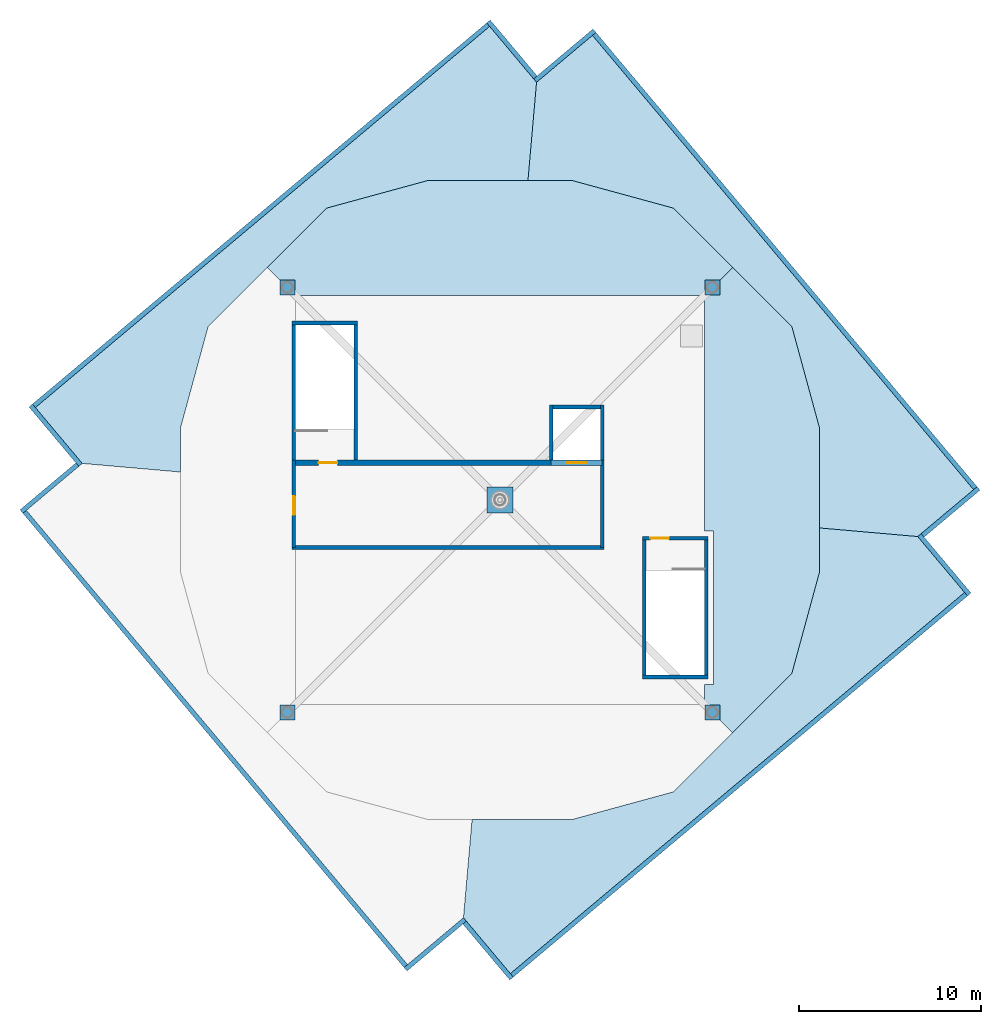
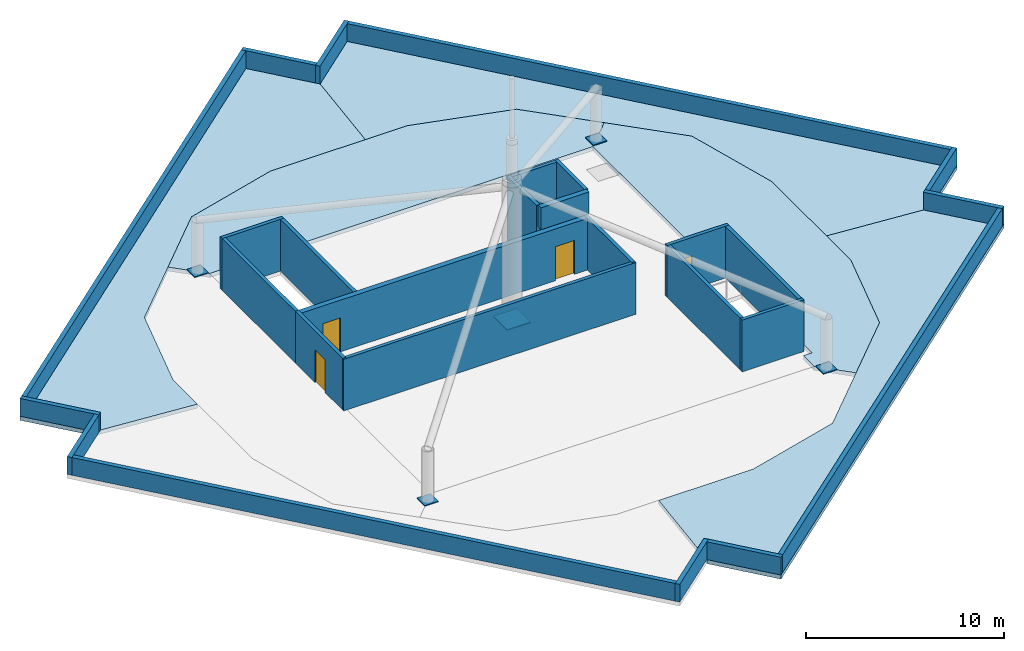
# One storey, part 3 of 4: 27 walls, 5 discrete accessories, 5 slabs, 4 doors, 4 openings.
"""IFC4 building model written with IfcOpenShell, lengths in metres."""

import ifcopenshell
import ifcopenshell.guid

model = None  # the IFC model being written
_history = None  # IfcOwnerHistory: only IFC2X3 demands one
_inside = {}  # id of a spatial element -> (the spatial element, [elements in it])
_under = {}  # id of a project, library or spatial element -> (it, [spatial elements below it])
_declared = {}  # id of a project -> (the project, [libraries it declares])
_typed = {}  # id of a type object -> (the type object, [elements of that type])
_made_of = {}  # id of a material, layer set ... -> (it, [elements and type objects made of it])


def new_model(schema):
    """Start an empty IFC model of exactly this schema.

    Asked for "IFC4X3", IfcOpenShell would pick the latest addendum, in which some entities
    have other attributes; the version numbers below select the first issue.
    IFC2X3 requires an IfcOwnerHistory on every rooted entity: one is made here for all.
    """
    global model, _history
    if schema == "IFC4X3":
        model = ifcopenshell.file(schema_version=(4, 3, 0, 0))
    else:
        model = ifcopenshell.file(schema=schema)
    _inside.clear()
    _under.clear()
    _declared.clear()
    _typed.clear()
    _made_of.clear()
    _history = None
    if model.schema == "IFC2X3":
        org = make("IfcOrganization", Name="unknown")
        user = make(
            "IfcPersonAndOrganization",
            ThePerson=make("IfcPerson", FamilyName="unknown"),
            TheOrganization=org,
        )
        app = make(
            "IfcApplication",
            ApplicationDeveloper=org,
            Version="unknown",
            ApplicationFullName="unknown",
            ApplicationIdentifier="unknown",
        )
        _history = make(
            "IfcOwnerHistory",
            OwningUser=user,
            OwningApplication=app,
            ChangeAction="ADDED",
            CreationDate=0,
        )
    return model


def make(cls, **values):
    """One entity of the class cls with the attributes given. An attribute that is None is left unset."""
    return model.create_entity(
        cls, **{name: value for name, value in values.items() if value is not None}
    )


def rooted(cls, **values):
    """An entity with a GlobalId (a new one), such as an element, a storey or a relation."""
    return make(cls, GlobalId=ifcopenshell.guid.new(), OwnerHistory=_history, **values)


def si_unit(unit_type, name, prefix=None):
    """IfcSIUnit, for example si_unit("LENGTHUNIT", "METRE", prefix="MILLI")."""
    return make("IfcSIUnit", UnitType=unit_type, Prefix=prefix, Name=name)


def assignment(units):
    """IfcUnitAssignment: the units of a project."""
    return None if units is None else make("IfcUnitAssignment", Units=units)


def point(xyz):
    """IfcCartesianPoint."""
    return None if xyz is None else make("IfcCartesianPoint", Coordinates=xyz)


def direction(xyz):
    """IfcDirection."""
    return None if xyz is None else make("IfcDirection", DirectionRatios=xyz)


def frame(location, z_axis=None, x_axis=None):
    """IfcAxis2Placement3D, a coordinate frame: its origin and axes. An axis left out is left unset."""
    return make(
        "IfcAxis2Placement3D",
        Location=point(location),
        Axis=direction(z_axis),
        RefDirection=direction(x_axis),
    )


def frame_2d(location, x_axis=None):
    """IfcAxis2Placement2D, a coordinate frame in the plane: its origin and x axis."""
    return make(
        "IfcAxis2Placement2D", Location=point(location), RefDirection=direction(x_axis)
    )


def origin():
    """The frame at (0, 0, 0) with its axes left unset."""
    return frame((0.0, 0.0, 0.0))


def origin_2d():
    """The frame at (0, 0) in the plane with its x axis left unset."""
    return frame_2d((0.0, 0.0))


def place(relative_to, where):
    """IfcLocalPlacement: puts the frame where relative to a parent placement (None: the world)."""
    return make(
        "IfcLocalPlacement", PlacementRelTo=relative_to, RelativePlacement=where
    )


def context(
    kind, dimensions, precision=None, world=None, true_north=None, identifier=None
):
    """IfcGeometricRepresentationContext, for example the 3D "Model" context."""
    return make(
        "IfcGeometricRepresentationContext",
        ContextIdentifier=identifier,
        ContextType=kind,
        CoordinateSpaceDimension=dimensions,
        Precision=precision,
        WorldCoordinateSystem=world,
        TrueNorth=true_north,
    )


def subcontext(parent, identifier, kind, view, scale=None):
    """IfcGeometricRepresentationSubContext, for example "Body" below "Model"."""
    return make(
        "IfcGeometricRepresentationSubContext",
        ContextIdentifier=identifier,
        ContextType=kind,
        ParentContext=parent,
        TargetScale=scale,
        TargetView=view,
    )


def project(units=None, contexts=None):
    """IfcProject with its units and contexts."""
    return rooted(
        "IfcProject",
        Name="project",
        RepresentationContexts=contexts,
        UnitsInContext=assignment(units),
    )


def spatial(cls, under=None, at=None, **own):
    """A site, building, storey or space (cls), placed at a placement, below another one or the project."""
    s = rooted(cls, ObjectPlacement=at, **own)
    if under is not None:
        _under.setdefault(under.id(), (under, []))[1].append(s)
    return s


def polyline(points):
    """IfcPolyline through the points."""
    return make("IfcPolyline", Points=[point(p) for p in points])


def profile(cls, at=None, kind="AREA", **sizes):
    """A parametric profile (cls). Its sizes go by their IFC names, for example OverallWidth=200.0."""
    return make(cls, ProfileType=kind, Position=at, **sizes)


def rectangle(**sizes):
    """IfcRectangleProfileDef."""
    return profile("IfcRectangleProfileDef", **sizes)


def outline(outer, holes=None, kind="AREA"):
    """IfcArbitraryClosedProfileDef: a profile drawn as a closed curve; with holes, ...WithVoids."""
    if holes is None:
        return make("IfcArbitraryClosedProfileDef", ProfileType=kind, OuterCurve=outer)
    return make(
        "IfcArbitraryProfileDefWithVoids",
        ProfileType=kind,
        OuterCurve=outer,
        InnerCurves=holes,
    )


def extrude(swept, where, along, depth):
    """IfcExtrudedAreaSolid: the profile swept, set in the frame where, extruded along a direction by depth."""
    return make(
        "IfcExtrudedAreaSolid",
        SweptArea=swept,
        Position=where,
        ExtrudedDirection=direction(along),
        Depth=depth,
    )


def shape(context_of_items, identifier, shape_type, items):
    """IfcShapeRepresentation: the items that make up one representation, for example the "Body"."""
    return make(
        "IfcShapeRepresentation",
        ContextOfItems=context_of_items,
        RepresentationIdentifier=identifier,
        RepresentationType=shape_type,
        Items=items,
    )


def material(Name=None, Category=None):
    """IfcMaterial."""
    return make("IfcMaterial", Name=Name, Category=Category)


def layer(
    of_material, thickness, ventilated=None, Name=None, Category=None, Priority=None
):
    """IfcMaterialLayer: one layer of a wall or slab, of a material (None: an air gap)."""
    return make(
        "IfcMaterialLayer",
        Material=of_material,
        LayerThickness=thickness,
        IsVentilated=ventilated,
        Name=Name,
        Category=Category,
        Priority=Priority,
    )


def layer_set(layers, Name=None):
    """IfcMaterialLayerSet."""
    return make("IfcMaterialLayerSet", MaterialLayers=layers, LayerSetName=Name)


def made_of(thing, what):
    """Note that an element or type object is made of a material, layer set ...; save() writes the relation."""
    if what is not None:
        _made_of.setdefault(what.id(), (what, []))[1].append(thing)
    return thing


def type_object(cls, material=None, **own):
    """A type object (cls), such as IfcWallType, which elements share."""
    return made_of(rooted(cls, **own), material)


def element(
    cls,
    number,
    at=None,
    inside=None,
    cuts=None,
    type_object=None,
    material=None,
    context=None,
    identifier="Body",
    shape_type=None,
    held_by="IfcProductDefinitionShape",
    body=None,
    shapes=None,
    **own,
):
    """One element of the class cls, such as IfcWall. Its Tag is "e" and its number.

    at: its placement. inside: the storey or other place that contains it. cuts: it is an
    opening in that element (IfcRelVoidsElement). A single representation is given by context,
    identifier, shape_type and body (its items); several are given by shapes. held_by: the class
    of the entity that holds the representations. save() writes the other relations.
    """
    e = rooted(cls, Tag="e%d" % number, ObjectPlacement=at, **own)
    if body is not None:
        shapes = [shape(context, identifier, shape_type, body)]
    if shapes is not None:
        e.Representation = make(held_by, Representations=shapes)
    if inside is not None:
        _inside.setdefault(inside.id(), (inside, []))[1].append(e)
    if cuts is not None:
        rooted(
            "IfcRelVoidsElement", RelatingBuildingElement=cuts, RelatedOpeningElement=e
        )
    if type_object is not None:
        _typed.setdefault(type_object.id(), (type_object, []))[1].append(e)
    return made_of(e, material)


def fill(opening, filler):
    """IfcRelFillsElement: the door or window that sits in an opening."""
    return rooted(
        "IfcRelFillsElement",
        RelatingOpeningElement=opening,
        RelatedBuildingElement=filler,
    )


def aggregate(whole, parts):
    """IfcRelAggregates: a whole, such as a stair, and the parts it consists of."""
    return rooted("IfcRelAggregates", RelatingObject=whole, RelatedObjects=parts)


def save(model, path):
    """Write the relations noted so far, then the file.

    IfcRelAggregates (storeys below a building ...), IfcRelContainedInSpatialStructure (elements
    in a storey), IfcRelDefinesByType, IfcRelAssociatesMaterial and IfcRelDeclares: one each for
    every whole, place, type object, material and project.
    """
    for whole, parts in _under.values():
        aggregate(whole, parts)
    for where, things in _inside.values():
        rooted(
            "IfcRelContainedInSpatialStructure",
            RelatedElements=things,
            RelatingStructure=where,
        )
    for kind, things in _typed.values():
        rooted("IfcRelDefinesByType", RelatedObjects=things, RelatingType=kind)
    for what, things in _made_of.values():
        rooted("IfcRelAssociatesMaterial", RelatedObjects=things, RelatingMaterial=what)
    for by, libraries in _declared.values():
        rooted("IfcRelDeclares", RelatingContext=by, RelatedDefinitions=libraries)
    model.write(path)


model = new_model("IFC4")

# Units and contexts
model_context = context("Model", 3, precision=1e-05, world=origin(), true_north=direction((0.0, 1.0)))
body_context = subcontext(model_context, "Body", "Model", "MODEL_VIEW")
ifc_project = project(units=[si_unit("LENGTHUNIT", "METRE"), si_unit("AREAUNIT", "SQUARE_METRE"), si_unit("VOLUMEUNIT", "CUBIC_METRE"), si_unit("PLANEANGLEUNIT", "RADIAN"), si_unit("MASSUNIT", "GRAM", prefix="KILO")], contexts=[model_context])

# Site, building, storey
site_placement = place(None, origin())
site = spatial("IfcSite", under=ifc_project, at=site_placement, CompositionType="ELEMENT")
building_placement = place(site_placement, origin())
building = spatial("IfcBuilding", under=site, at=building_placement, Name="Torsade Residences", CompositionType="ELEMENT")
storey_placement = place(building_placement, frame((0.0, 0.0, 308.800048828125)))
storey = spatial("IfcBuildingStorey", under=building, at=storey_placement, Name="RF", CompositionType="ELEMENT", Elevation=308.800048828125)

# Slabs
ifc_material_1 = material(Name="Concrete 40 MPa", Category="concrete")
ifc_layer_1 = layer(ifc_material_1, 0.25)
ifc_layer_set_1 = layer_set([ifc_layer_1], Name="Concrete 40 MPa")
slab_type = type_object("IfcSlabType", Name="ROOF SLAB 250", PredefinedType="ROOF", material=ifc_layer_set_1)
slab_1_placement = place(storey_placement, frame((0.0, 0.0, -0.25)))
element("IfcSlab", 1, at=slab_1_placement, inside=storey, type_object=slab_type, Name="Roof slab south bay", PredefinedType="ROOF", context=body_context, shape_type="SweptSolid", body=[
    extrude(outline(polyline([(57.5, 28.468994140625), (57.5, 26.0), (56.0, 20.5), (49.5, 14.0), (44.0, 12.5), (38.468994140625, 12.5), (37.96630859375, 6.754150390625), (40.537353515625, 3.690185546875), (65.81689453125, 24.902099609375), (63.245849609375, 27.96630859375), (57.5, 28.468994140625)])), origin(), (0.0, 0.0, 1.0), 0.25),
])
slab_2_placement = place(storey_placement, frame((0.0, 0.0, -0.25)))
element("IfcSlab", 2, at=slab_2_placement, inside=storey, type_object=slab_type, Name="Roof slab east bay", PredefinedType="ROOF", context=body_context, shape_type="SweptSolid", body=[
    extrude(outline(polyline([(41.531005859375, 47.5), (44.0, 47.5), (49.5, 46.0), (56.0, 39.5), (57.5, 34.0), (57.5, 28.468994140625), (63.245849609375, 27.96630859375), (66.309814453125, 30.537353515625), (45.097900390625, 55.81689453125), (42.03369140625, 53.245849609375), (41.531005859375, 47.5)])), origin(), (0.0, 0.0, 1.0), 0.25),
])
slab_3_placement = place(storey_placement, frame((0.0, 0.0, -0.25)))
element("IfcSlab", 3, at=slab_3_placement, inside=storey, type_object=slab_type, Name="Roof slab north bay", PredefinedType="ROOF", context=body_context, shape_type="SweptSolid", body=[
    extrude(outline(polyline([(22.5, 31.531005859375), (22.5, 34.0), (24.0, 39.5), (30.5, 46.0), (36.0, 47.5), (41.531005859375, 47.5), (42.03369140625, 53.245849609375), (39.462646484375, 56.309814453125), (14.18310546875, 35.097900390625), (16.754150390625, 32.03369140625), (22.5, 31.531005859375)])), origin(), (0.0, 0.0, 1.0), 0.25),
])
slab_4_placement = place(storey_placement, frame((0.0, 0.0, -0.25)))
element("IfcSlab", 4, at=slab_4_placement, inside=storey, type_object=slab_type, Name="Roof slab inner east bay", PredefinedType="ROOF", context=body_context, shape_type="SweptSolid", body=[
    extrude(outline(polyline([(56.0, 39.5), (52.75, 42.75), (51.199951171875, 41.199951171875), (51.199951171875, 28.300048828125), (51.699951171875, 28.300048828125), (51.699951171875, 19.89990234375), (51.199951171875, 19.89990234375), (51.199951171875, 18.800048828125), (52.75, 17.25), (56.0, 20.5), (57.5, 26.0), (57.5, 34.0), (56.0, 39.5)])), origin(), (0.0, 0.0, 1.0), 0.25),
])
slab_5_placement = place(storey_placement, frame((0.0, 0.0, -0.25)))
element("IfcSlab", 5, at=slab_5_placement, inside=storey, type_object=slab_type, Name="Roof slab inner north bay", PredefinedType="ROOF", context=body_context, shape_type="SweptSolid", body=[
    extrude(outline(polyline([(27.25, 42.75), (28.800048828125, 41.199951171875), (51.199951171875, 41.199951171875), (52.75, 42.75), (49.5, 46.0), (44.0, 47.5), (36.0, 47.5), (30.5, 46.0), (27.25, 42.75)])), origin(), (0.0, 0.0, 1.0), 0.25),
])

# Wall
ifc_material_2 = material(Name="Concrete 80 MPa", Category="concrete")
ifc_layer_2 = layer(ifc_material_2, 0.199951171875)
ifc_layer_set_2 = layer_set([ifc_layer_2], Name="Concrete 80 MPa")
wall_type_1 = type_object("IfcWallType", Name="HEAD-HOUSE WALL 200", PredefinedType="SOLIDWALL", material=ifc_layer_set_2)
wall_1_placement = place(storey_placement, frame((28.60009765625, 27.39990234375, 0.0), z_axis=(0.0, 0.0, 1.0), x_axis=(1.0, 0.0, 0.0)))
element("IfcWall", 6, at=wall_1_placement, inside=storey, type_object=wall_type_1, Name="Roof lift and stair lobby wall S", PredefinedType="SOLIDWALL", context=body_context, shape_type="SweptSolid", body=[
    extrude(rectangle(XDim=17.099853515625, YDim=0.199951171875, at=frame_2d((8.5498046875, 0.0))), origin(), (0.0, 0.0, 1.0), 3.199951171875),
])

# Wall, opening, door
wall_2_placement = place(storey_placement, frame((28.699951171875, 32.199951171875, 0.0), z_axis=(0.0, 0.0, 1.0), x_axis=(0.0, -1.0, 0.0)))
wall_2 = element("IfcWall", 7, at=wall_2_placement, inside=storey, type_object=wall_type_1, Name="Roof lift and stair lobby wall W", PredefinedType="SOLIDWALL", context=body_context, shape_type="SweptSolid", body=[
    extrude(rectangle(XDim=4.800048828125, YDim=0.199951171875, at=frame_2d((2.39990234375, 0.0))), origin(), (0.0, 0.0, 1.0), 3.199951171875),
])
opening_1_placement = place(wall_2_placement, frame((1.989990234375, 0.0, 0.0)))
opening_1 = element("IfcOpeningElement", 8, at=opening_1_placement, cuts=wall_2, Name="Opening D07", PredefinedType="OPENING", context=body_context, shape_type="SweptSolid", body=[
    extrude(rectangle(XDim=1.02001953125, YDim=2.0400390625, at=frame_2d((0.510009765625, 1.02001953125))), frame((0.0, 0.10986328125, 0.0), z_axis=(0.0, -1.0, 0.0), x_axis=(1.0, 0.0, 0.0)), (0.0, 0.0, 1.0), 0.219970703125),
])
ifc_material_3 = material(Name="Steel-framed external fire door", Category="steel")
door_type_1 = type_object("IfcDoorType", Name="ROOF ACCESS DOOR 1020", OperationType="NOTDEFINED", PredefinedType="DOOR", material=ifc_material_3)
door_1_placement = place(opening_1_placement, origin())
door_1 = element("IfcDoor", 9, at=door_1_placement, inside=storey, type_object=door_type_1, Name="Maintenance roof door RF", OperationType="SINGLE_SWING_LEFT", OverallHeight=2.0400390625, OverallWidth=1.02001953125, PredefinedType="DOOR", context=body_context, shape_type="SweptSolid", body=[
    extrude(rectangle(XDim=1.02001953125, YDim=2.0400390625, at=frame_2d((0.510009765625, 1.02001953125))), frame((0.0, 0.02490234375, 0.0), z_axis=(0.0, -1.0, 0.0), x_axis=(1.0, 0.0, 0.0)), (0.0, 0.0, 1.0), 0.050048828125),
])
fill(opening_1, door_1)

# Walls
wall_3_placement = place(storey_placement, frame((45.60009765625, 27.39990234375, 0.0), z_axis=(0.0, 0.0, 1.0), x_axis=(0.0, 1.0, 0.0)))
element("IfcWall", 10, at=wall_3_placement, inside=storey, type_object=wall_type_1, Name="Roof lift and stair lobby wall E", PredefinedType="SOLIDWALL", context=body_context, shape_type="SweptSolid", body=[
    extrude(rectangle(XDim=4.800048828125, YDim=0.199951171875, at=frame_2d((2.39990234375, 0.0))), origin(), (0.0, 0.0, 1.0), 3.199951171875),
])
wall_4_placement = place(storey_placement, frame((32.10009765625, 32.199951171875, 0.0), z_axis=(0.0, 0.0, 1.0), x_axis=(0.0, 1.0, 0.0)))
element("IfcWall", 11, at=wall_4_placement, inside=storey, type_object=wall_type_1, Name="Roof stair head-house wall E", PredefinedType="SOLIDWALL", context=body_context, shape_type="SweptSolid", body=[
    extrude(rectangle(XDim=7.400146484375, YDim=0.199951171875, at=frame_2d((3.7001953125, 0.0))), origin(), (0.0, 0.0, 1.0), 3.199951171875),
])
wall_5_placement = place(storey_placement, frame((32.199951171875, 39.699951171875, 0.0), z_axis=(0.0, 0.0, 1.0), x_axis=(-1.0, 0.0, 0.0)))
element("IfcWall", 12, at=wall_5_placement, inside=storey, type_object=wall_type_1, Name="Roof stair head-house wall N", PredefinedType="SOLIDWALL", context=body_context, shape_type="SweptSolid", body=[
    extrude(rectangle(XDim=3.599853515625, YDim=0.199951171875, at=frame_2d((1.7998046875, 0.0))), origin(), (0.0, 0.0, 1.0), 3.199951171875),
])
wall_6_placement = place(storey_placement, frame((28.699951171875, 39.60009765625, 0.0), z_axis=(0.0, 0.0, 1.0), x_axis=(0.0, -1.0, 0.0)))
element("IfcWall", 13, at=wall_6_placement, inside=storey, type_object=wall_type_1, Name="Roof stair head-house wall W", PredefinedType="SOLIDWALL", context=body_context, shape_type="SweptSolid", body=[
    extrude(rectangle(XDim=7.400146484375, YDim=0.199951171875, at=frame_2d((3.7001953125, 0.0))), origin(), (0.0, 0.0, 1.0), 3.199951171875),
])
wall_7_placement = place(storey_placement, frame((42.800048828125, 32.199951171875, 0.0), z_axis=(0.0, 0.0, 1.0), x_axis=(0.0, 1.0, 0.0)))
element("IfcWall", 14, at=wall_7_placement, inside=storey, type_object=wall_type_1, Name="Lift FL1 overrun wall W", PredefinedType="SOLIDWALL", context=body_context, shape_type="SweptSolid", body=[
    extrude(rectangle(XDim=3.0, YDim=0.199951171875, at=frame_2d((1.5, 0.0))), origin(), (0.0, 0.0, 1.0), 4.800048828125),
])
wall_8_placement = place(storey_placement, frame((42.89990234375, 35.10009765625, 0.0), z_axis=(0.0, 0.0, 1.0), x_axis=(1.0, 0.0, 0.0)))
element("IfcWall", 15, at=wall_8_placement, inside=storey, type_object=wall_type_1, Name="Lift FL1 overrun wall N", PredefinedType="SOLIDWALL", context=body_context, shape_type="SweptSolid", body=[
    extrude(rectangle(XDim=2.60009765625, YDim=0.199951171875, at=frame_2d((1.300048828125, 0.0))), origin(), (0.0, 0.0, 1.0), 4.800048828125),
])
wall_9_placement = place(storey_placement, frame((45.60009765625, 35.199951171875, 0.0), z_axis=(0.0, 0.0, 1.0), x_axis=(0.0, -1.0, 0.0)))
element("IfcWall", 16, at=wall_9_placement, inside=storey, type_object=wall_type_1, Name="Lift FL1 overrun wall E", PredefinedType="SOLIDWALL", context=body_context, shape_type="SweptSolid", body=[
    extrude(rectangle(XDim=3.0, YDim=0.199951171875, at=frame_2d((1.5, 0.0))), origin(), (0.0, 0.0, 1.0), 4.800048828125),
])
wall_10_placement = place(storey_placement, frame((51.300048828125, 20.39990234375, 0.0), z_axis=(0.0, 0.0, 1.0), x_axis=(0.0, 1.0, 0.0)))
element("IfcWall", 17, at=wall_10_placement, inside=storey, type_object=wall_type_1, Name="Roof stair ST2 head-house wall E", PredefinedType="SOLIDWALL", context=body_context, shape_type="SweptSolid", body=[
    extrude(rectangle(XDim=7.400146484375, YDim=0.199951171875, at=frame_2d((3.7001953125, 0.0))), origin(), (0.0, 0.0, 1.0), 3.199951171875),
])
wall_11_placement = place(storey_placement, frame((47.800048828125, 20.300048828125, 0.0), z_axis=(0.0, 0.0, 1.0), x_axis=(1.0, 0.0, 0.0)))
element("IfcWall", 18, at=wall_11_placement, inside=storey, type_object=wall_type_1, Name="Roof stair ST2 head-house wall S", PredefinedType="SOLIDWALL", context=body_context, shape_type="SweptSolid", body=[
    extrude(rectangle(XDim=3.599853515625, YDim=0.199951171875, at=frame_2d((1.7998046875, 0.0))), origin(), (0.0, 0.0, 1.0), 3.199951171875),
])
wall_12_placement = place(storey_placement, frame((47.89990234375, 27.800048828125, 0.0), z_axis=(0.0, 0.0, 1.0), x_axis=(0.0, -1.0, 0.0)))
element("IfcWall", 19, at=wall_12_placement, inside=storey, type_object=wall_type_1, Name="Roof stair ST2 head-house wall W", PredefinedType="SOLIDWALL", context=body_context, shape_type="SweptSolid", body=[
    extrude(rectangle(XDim=7.400146484375, YDim=0.199951171875, at=frame_2d((3.7001953125, 0.0))), origin(), (0.0, 0.0, 1.0), 3.199951171875),
])

# Wall, opening, door
wall_13_placement = place(storey_placement, frame((47.800048828125, 27.89990234375, 0.0), z_axis=(0.0, 0.0, 1.0), x_axis=(1.0, 0.0, 0.0)))
wall_13 = element("IfcWall", 20, at=wall_13_placement, inside=storey, type_object=wall_type_1, Name="Roof stair ST2 head-house wall N", PredefinedType="SOLIDWALL", context=body_context, shape_type="SweptSolid", body=[
    extrude(rectangle(XDim=3.599853515625, YDim=0.199951171875, at=frame_2d((1.7998046875, 0.0))), origin(), (0.0, 0.0, 1.0), 3.199951171875),
])
opening_2_placement = place(wall_13_placement, frame((0.43994140625, 0.0, 0.0)))
opening_2 = element("IfcOpeningElement", 21, at=opening_2_placement, cuts=wall_13, Name="Opening D07", PredefinedType="OPENING", context=body_context, shape_type="SweptSolid", body=[
    extrude(rectangle(XDim=1.02001953125, YDim=2.0400390625, at=frame_2d((0.510009765625, 1.02001953125))), frame((0.0, 0.10986328125, 0.0), z_axis=(0.0, -1.0, 0.0), x_axis=(1.0, 0.0, 0.0)), (0.0, 0.0, 1.0), 0.219970703125),
])
door_2_placement = place(opening_2_placement, origin())
door_2 = element("IfcDoor", 22, at=door_2_placement, inside=storey, type_object=door_type_1, Name="Exit door from fire-isolated stair ST2 onto the roof RF", OperationType="SINGLE_SWING_LEFT", OverallHeight=2.0400390625, OverallWidth=1.02001953125, PredefinedType="DOOR", context=body_context, shape_type="SweptSolid", body=[
    extrude(rectangle(XDim=1.02001953125, YDim=2.0400390625, at=frame_2d((0.510009765625, 1.02001953125))), frame((0.0, 0.02490234375, 0.0), z_axis=(0.0, -1.0, 0.0), x_axis=(1.0, 0.0, 0.0)), (0.0, 0.0, 1.0), 0.050048828125),
])
fill(opening_2, door_2)

# Walls
ifc_material_4 = material(Name="Stone-faced precast concrete 40 MPa panel", Category="masonry")
ifc_layer_3 = layer(ifc_material_4, 0.25)
ifc_layer_set_3 = layer_set([ifc_layer_3], Name="Stone-faced precast concrete 40 MPa panel")
wall_type_2 = type_object("IfcWallType", Name="PARAPET WALL 250", PredefinedType="PARAPET", material=ifc_layer_set_3)
wall_14_placement = place(storey_placement, frame((40.45703125, 3.785888671875, 0.0), z_axis=(0.0, 0.0, 1.0), x_axis=(0.766046524342, 0.642785129373, 0.0)))
element("IfcWall", 23, at=wall_14_placement, inside=storey, type_object=wall_type_2, Name="Roof parapet 1", PredefinedType="PARAPET", context=body_context, shape_type="SweptSolid", body=[
    extrude(rectangle(XDim=33.0, YDim=0.25, at=frame_2d((16.5, 0.0))), origin(), (0.0, 0.0, 1.0), 1.099853515625),
])
wall_15_placement = place(storey_placement, frame((65.72119140625, 24.82177734375, 0.0), z_axis=(0.0, 0.0, 1.0), x_axis=(-0.642808051836, 0.766027289654, 0.0)))
element("IfcWall", 24, at=wall_15_placement, inside=storey, type_object=wall_type_2, Name="Roof parapet 2", PredefinedType="PARAPET", context=body_context, shape_type="SweptSolid", body=[
    extrude(rectangle(XDim=4.25, YDim=0.25, at=frame_2d((2.125, 0.0))), origin(), (0.0, 0.0, 1.0), 1.099853515625),
])
wall_16_placement = place(storey_placement, frame((63.165283203125, 28.06201171875, 0.0), z_axis=(0.0, 0.0, 1.0), x_axis=(0.766060656284, 0.642768287094, 0.0)))
element("IfcWall", 25, at=wall_16_placement, inside=storey, type_object=wall_type_2, Name="Roof parapet 3", PredefinedType="PARAPET", context=body_context, shape_type="SweptSolid", body=[
    extrude(rectangle(XDim=4.0, YDim=0.25, at=frame_2d((2.0, 0.0))), origin(), (0.0, 0.0, 1.0), 1.099853515625),
])
wall_17_placement = place(storey_placement, frame((66.214111328125, 30.45703125, 0.0), z_axis=(0.0, 0.0, 1.0), x_axis=(-0.642785129373, 0.766046524342, 0.0)))
element("IfcWall", 26, at=wall_17_placement, inside=storey, type_object=wall_type_2, Name="Roof parapet 4", PredefinedType="PARAPET", context=body_context, shape_type="SweptSolid", body=[
    extrude(rectangle(XDim=33.0, YDim=0.25, at=frame_2d((16.5, 0.0))), origin(), (0.0, 0.0, 1.0), 1.099853515625),
])
wall_18_placement = place(storey_placement, frame((45.17822265625, 55.72119140625, 0.0), z_axis=(0.0, 0.0, 1.0), x_axis=(-0.766027289654, -0.642808051836, 0.0)))
element("IfcWall", 27, at=wall_18_placement, inside=storey, type_object=wall_type_2, Name="Roof parapet 5", PredefinedType="PARAPET", context=body_context, shape_type="SweptSolid", body=[
    extrude(rectangle(XDim=4.25, YDim=0.25, at=frame_2d((2.125, 0.0))), origin(), (0.0, 0.0, 1.0), 1.099853515625),
])
wall_19_placement = place(storey_placement, frame((41.93798828125, 53.165283203125, 0.0), z_axis=(0.0, 0.0, 1.0), x_axis=(-0.642768287094, 0.766060656284, 0.0)))
element("IfcWall", 28, at=wall_19_placement, inside=storey, type_object=wall_type_2, Name="Roof parapet 6", PredefinedType="PARAPET", context=body_context, shape_type="SweptSolid", body=[
    extrude(rectangle(XDim=4.0, YDim=0.25, at=frame_2d((2.0, 0.0))), origin(), (0.0, 0.0, 1.0), 1.099853515625),
])
wall_20_placement = place(storey_placement, frame((39.54296875, 56.214111328125, 0.0), z_axis=(0.0, 0.0, 1.0), x_axis=(-0.766046524342, -0.642785129373, 0.0)))
element("IfcWall", 29, at=wall_20_placement, inside=storey, type_object=wall_type_2, Name="Roof parapet 7", PredefinedType="PARAPET", context=body_context, shape_type="SweptSolid", body=[
    extrude(rectangle(XDim=33.0, YDim=0.25, at=frame_2d((16.5, 0.0))), origin(), (0.0, 0.0, 1.0), 1.099853515625),
])
wall_21_placement = place(storey_placement, frame((14.27880859375, 35.17822265625, 0.0), z_axis=(0.0, 0.0, 1.0), x_axis=(0.642808051836, -0.766027289654, 0.0)))
element("IfcWall", 30, at=wall_21_placement, inside=storey, type_object=wall_type_2, Name="Roof parapet 8", PredefinedType="PARAPET", context=body_context, shape_type="SweptSolid", body=[
    extrude(rectangle(XDim=4.25, YDim=0.25, at=frame_2d((2.125, 0.0))), origin(), (0.0, 0.0, 1.0), 1.099853515625),
])
wall_22_placement = place(storey_placement, frame((16.834716796875, 31.93798828125, 0.0), z_axis=(0.0, 0.0, 1.0), x_axis=(-0.766060656284, -0.642768287094, 0.0)))
element("IfcWall", 31, at=wall_22_placement, inside=storey, type_object=wall_type_2, Name="Roof parapet 9", PredefinedType="PARAPET", context=body_context, shape_type="SweptSolid", body=[
    extrude(rectangle(XDim=4.0, YDim=0.25, at=frame_2d((2.0, 0.0))), origin(), (0.0, 0.0, 1.0), 1.099853515625),
])
wall_23_placement = place(storey_placement, frame((13.785888671875, 29.54296875, 0.0), z_axis=(0.0, 0.0, 1.0), x_axis=(0.642785129373, -0.766046524342, 0.0)))
element("IfcWall", 32, at=wall_23_placement, inside=storey, type_object=wall_type_2, Name="Roof parapet 10", PredefinedType="PARAPET", context=body_context, shape_type="SweptSolid", body=[
    extrude(rectangle(XDim=33.0, YDim=0.25, at=frame_2d((16.5, 0.0))), origin(), (0.0, 0.0, 1.0), 1.099853515625),
])
wall_24_placement = place(storey_placement, frame((34.82177734375, 4.27880859375, 0.0), z_axis=(0.0, 0.0, 1.0), x_axis=(0.766027289654, 0.642808051836, 0.0)))
element("IfcWall", 33, at=wall_24_placement, inside=storey, type_object=wall_type_2, Name="Roof parapet 11", PredefinedType="PARAPET", context=body_context, shape_type="SweptSolid", body=[
    extrude(rectangle(XDim=4.25, YDim=0.25, at=frame_2d((2.125, 0.0))), origin(), (0.0, 0.0, 1.0), 1.099853515625),
])
wall_25_placement = place(storey_placement, frame((38.06201171875, 6.834716796875, 0.0), z_axis=(0.0, 0.0, 1.0), x_axis=(0.642768287094, -0.766060656284, 0.0)))
element("IfcWall", 34, at=wall_25_placement, inside=storey, type_object=wall_type_2, Name="Roof parapet 12", PredefinedType="PARAPET", context=body_context, shape_type="SweptSolid", body=[
    extrude(rectangle(XDim=4.0, YDim=0.25, at=frame_2d((2.0, 0.0))), origin(), (0.0, 0.0, 1.0), 1.099853515625),
])

# Wall, openings, doors
ifc_material_5 = material(Name="Concrete 80 MPa", Category="concrete")
ifc_layer_4 = layer(ifc_material_5, 0.300048828125)
ifc_layer_set_4 = layer_set([ifc_layer_4], Name="Concrete 80 MPa")
wall_type_3 = type_object("IfcWallType", Name="ROOF LIFT LOBBY WALL 300", PredefinedType="SOLIDWALL", material=ifc_layer_set_4)
wall_26_placement = place(storey_placement, frame((28.800048828125, 32.050048828125, 0.0), z_axis=(0.0, 0.0, 1.0), x_axis=(1.0, 0.0, 0.0)))
wall_26 = element("IfcWall", 35, at=wall_26_placement, inside=storey, type_object=wall_type_3, Name="Roof lift and stair lobby front wall", PredefinedType="SOLIDWALL", context=body_context, shape_type="SweptSolid", body=[
    extrude(rectangle(XDim=16.699951171875, YDim=0.300048828125, at=frame_2d((8.35009765625, 0.0))), origin(), (0.0, 0.0, 1.0), 3.199951171875),
])
opening_3_placement = place(wall_26_placement, frame((14.85009765625, 0.0, 0.0)))
opening_3 = element("IfcOpeningElement", 36, at=opening_3_placement, cuts=wall_26, Name="Opening LD", PredefinedType="OPENING", context=body_context, shape_type="SweptSolid", body=[
    extrude(rectangle(XDim=1.10009765625, YDim=2.10009765625, at=frame_2d((0.550048828125, 1.050048828125))), frame((0.0, 0.159912109375, 0.0), z_axis=(0.0, -1.0, 0.0), x_axis=(1.0, 0.0, 0.0)), (0.0, 0.0, 1.0), 0.320068359375),
])
opening_4_placement = place(wall_26_placement, frame((1.260009765625, 0.0, 0.0)))
opening_4 = element("IfcOpeningElement", 37, at=opening_4_placement, cuts=wall_26, Name="Opening D03", PredefinedType="OPENING", context=body_context, shape_type="SweptSolid", body=[
    extrude(rectangle(XDim=1.02001953125, YDim=2.10009765625, at=frame_2d((0.510009765625, 1.050048828125))), frame((0.0, 0.159912109375, 0.0), z_axis=(0.0, -1.0, 0.0), x_axis=(1.0, 0.0, 0.0)), (0.0, 0.0, 1.0), 0.320068359375),
])
ifc_material_6 = material(Name="Steel-framed fire door", Category="steel")
door_type_2 = type_object("IfcDoorType", Name="FIRE DOOR 1020", OperationType="NOTDEFINED", PredefinedType="DOOR", material=ifc_material_6)
door_3_placement = place(opening_4_placement, origin())
door_3 = element("IfcDoor", 38, at=door_3_placement, inside=storey, type_object=door_type_2, Name="Exit door to fire-isolated stair ST1 RF", OperationType="SINGLE_SWING_RIGHT", OverallHeight=2.10009765625, OverallWidth=1.02001953125, PredefinedType="DOOR", context=body_context, shape_type="SweptSolid", body=[
    extrude(rectangle(XDim=1.02001953125, YDim=2.10009765625, at=frame_2d((0.510009765625, 1.050048828125))), frame((0.0, 0.02490234375, 0.0), z_axis=(0.0, -1.0, 0.0), x_axis=(1.0, 0.0, 0.0)), (0.0, 0.0, 1.0), 0.050048828125),
])
fill(opening_4, door_3)
ifc_material_7 = material(Name="Stainless steel lift landing door", Category="steel")
door_type_3 = type_object("IfcDoorType", Name="LIFT LANDING DOOR 1100", OperationType="SLIDING_TO_LEFT", PredefinedType="DOOR", material=ifc_material_7)
door_4_placement = place(opening_3_placement, origin())
door_4 = element("IfcDoor", 39, at=door_4_placement, inside=storey, type_object=door_type_3, Name="Lift FL1 landing door RF", OperationType="SLIDING_TO_LEFT", OverallHeight=2.10009765625, OverallWidth=1.10009765625, PredefinedType="DOOR", context=body_context, shape_type="SweptSolid", body=[
    extrude(rectangle(XDim=1.10009765625, YDim=2.10009765625, at=frame_2d((0.550048828125, 1.050048828125))), frame((0.0, 0.02490234375, 0.0), z_axis=(0.0, -1.0, 0.0), x_axis=(1.0, 0.0, 0.0)), (0.0, 0.0, 1.0), 0.050048828125),
])
fill(opening_3, door_4)

# Wall
wall_27_placement = place(storey_placement, frame((42.800048828125, 32.050048828125, 3.449951171875), z_axis=(0.0, 0.0, 1.0), x_axis=(1.0, 0.0, 0.0)))
element("IfcWall", 40, at=wall_27_placement, inside=storey, type_object=wall_type_3, Name="Lift FL1 overrun wall S", PredefinedType="SOLIDWALL", context=body_context, shape_type="SweptSolid", body=[
    extrude(rectangle(XDim=2.800048828125, YDim=0.300048828125, at=frame_2d((1.39990234375, 0.0))), origin(), (0.0, 0.0, 1.0), 1.35009765625),
])

# Discrete accessories
ifc_material_8 = material(Name="Steel grade 350", Category="steel")
ifc_layer_5 = layer(ifc_material_8, 0.06005859375)
ifc_layer_set_5 = layer_set([ifc_layer_5], Name="Steel grade 350")
discrete_accessory_type_1 = type_object("IfcDiscreteAccessoryType", Name="BASE PLATE 1400x1400x60", PredefinedType="ANCHORPLATE", material=ifc_layer_set_5)
discrete_accessory_placement = place(storey_placement, frame((40.0, 30.0, 0.0), z_axis=(0.0, 0.0, 1.0), x_axis=(1.0, 0.0, 0.0)))
element("IfcDiscreteAccessory", 41, at=discrete_accessory_placement, inside=storey, type_object=discrete_accessory_type_1, Name="Base plate SP1 mast", PredefinedType="ANCHORPLATE", context=body_context, shape_type="SweptSolid", body=[
    extrude(rectangle(XDim=1.39990234375, YDim=1.39990234375, at=origin_2d()), origin(), (0.0, 0.0, 1.0), 0.06005859375),
])
ifc_material_9 = material(Name="Steel grade 350", Category="steel")
ifc_layer_6 = layer(ifc_material_9, 0.050048828125)
ifc_layer_set_6 = layer_set([ifc_layer_6], Name="Steel grade 350")
discrete_accessory_type_2 = type_object("IfcDiscreteAccessoryType", Name="BASE PLATE 800x800x50", PredefinedType="ANCHORPLATE", material=ifc_layer_set_6)
for number, where, z_axis, x_axis, name in (
    (42, (28.35009765625, 18.35009765625, 0.0), (0.0, 0.0, 1.0), (1.0, 0.0, 0.0), "Base plate SP6 stanchion 1"),
    (43, (51.64990234375, 18.35009765625, 0.0), (0.0, 0.0, 1.0), (1.0, 0.0, 0.0), "Base plate SP6 stanchion 2"),
    (44, (51.64990234375, 41.64990234375, 0.0), (0.0, 0.0, 1.0), (1.0, 0.0, 0.0), "Base plate SP6 stanchion 3"),
    (45, (28.35009765625, 41.64990234375, 0.0), (0.0, 0.0, 1.0), (1.0, 0.0, 0.0), "Base plate SP6 stanchion 4"),
):
    element("IfcDiscreteAccessory", number, at=place(storey_placement, frame(where, z_axis=z_axis, x_axis=x_axis)), inside=storey, type_object=discrete_accessory_type_2, Name=name, PredefinedType="ANCHORPLATE", context=body_context, shape_type="SweptSolid", body=[
        extrude(rectangle(XDim=0.800048828125, YDim=0.800048828125, at=origin_2d()), origin(), (0.0, 0.0, 1.0), 0.050048828125),
    ])

save(model, "model.ifc")
